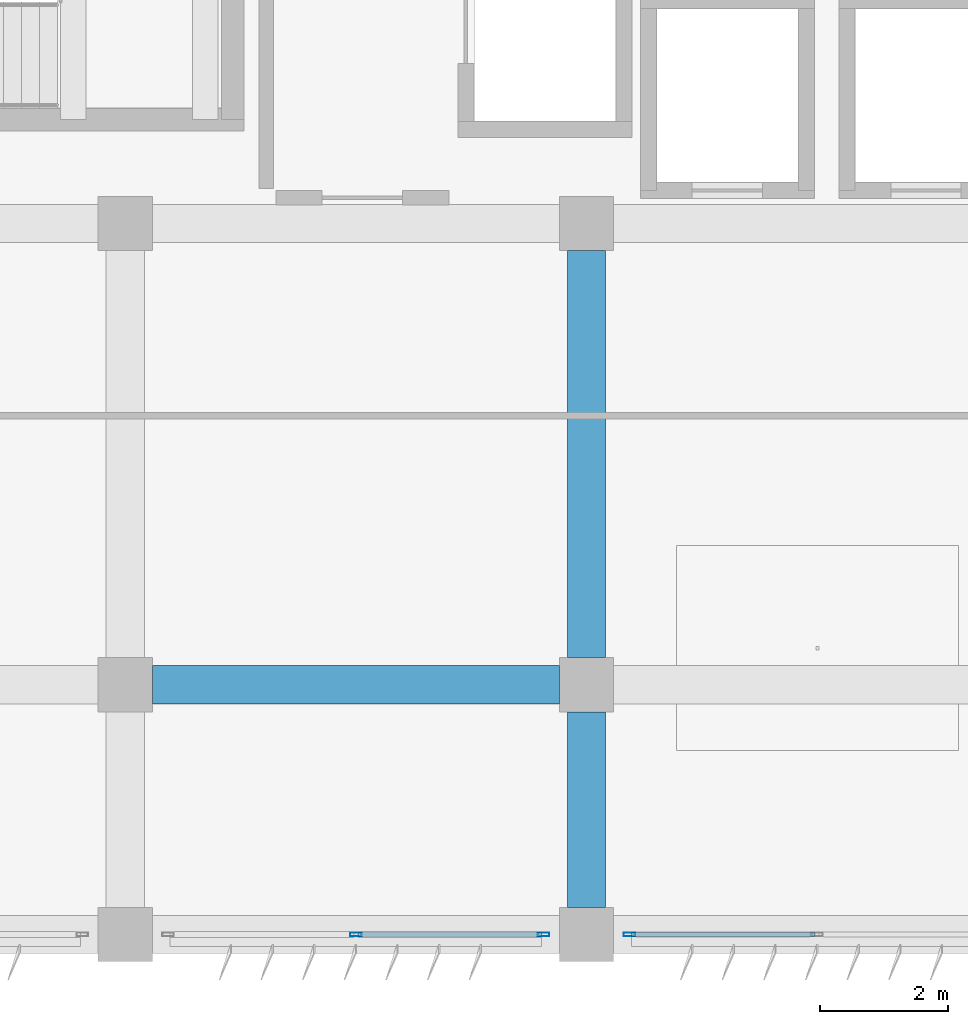
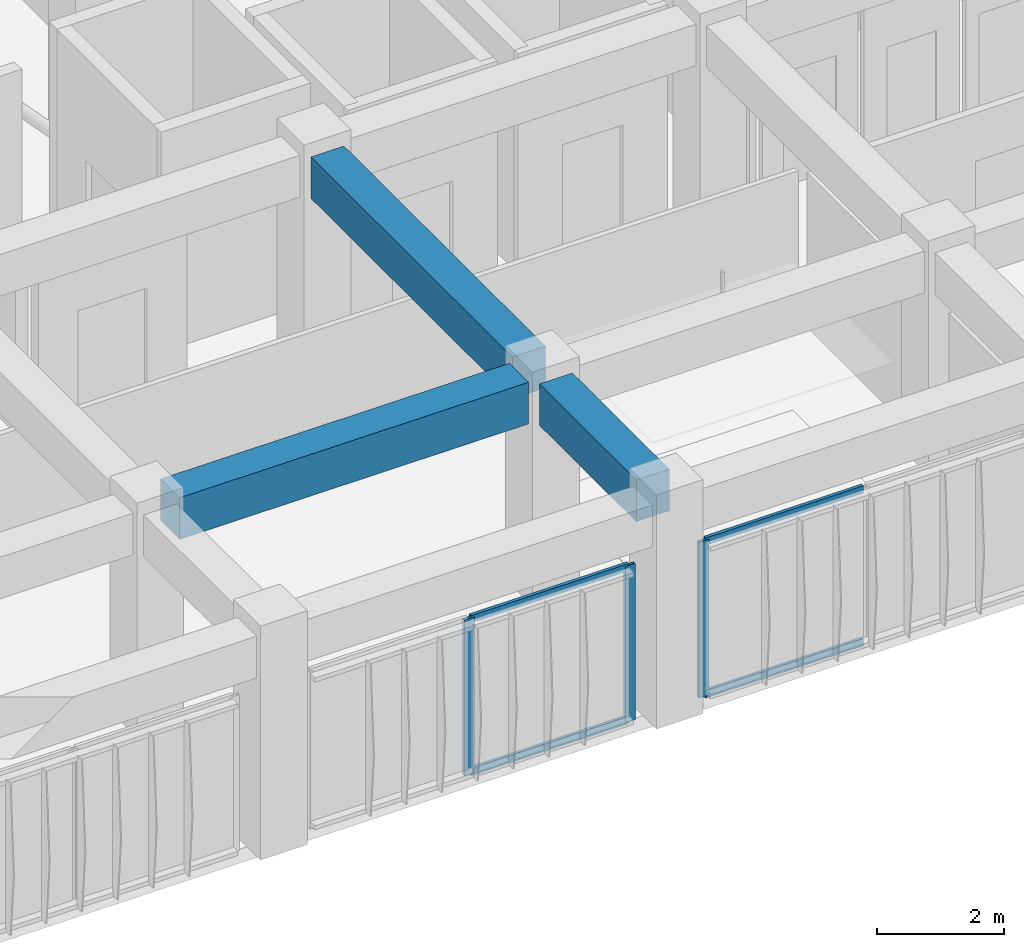
# One storey, part 6 of 48: 7 members, 3 beams, 2 elements without a shape of their own.
"""IFC4 building model written with IfcOpenShell, lengths in metres."""

from ifc_helpers import new_model, si_unit, direction, frame, origin, origin_2d, place, context, subcontext, project, spatial, rectangle, hollow_rectangle, extrude, material, material_profile, profile_set, type_object, element, aggregate, save


model = new_model("IFC4")

# Units and contexts
model_context = context("Model", 3, precision=1e-05, world=origin(), true_north=direction((0.0, 1.0)))
body_context = subcontext(model_context, "Body", "Model", "MODEL_VIEW")
ifc_project = project(units=[si_unit("LENGTHUNIT", "METRE"), si_unit("AREAUNIT", "SQUARE_METRE"), si_unit("VOLUMEUNIT", "CUBIC_METRE"), si_unit("PLANEANGLEUNIT", "RADIAN"), si_unit("MASSUNIT", "GRAM", prefix="KILO")], contexts=[model_context])

# Site, building, storey
site_placement = place(None, origin())
site = spatial("IfcSite", under=ifc_project, at=site_placement, CompositionType="ELEMENT")
building_placement = place(site_placement, origin())
building = spatial("IfcBuilding", under=site, at=building_placement, Name="Kazehaya Institute of Natural Sciences", CompositionType="ELEMENT")
storey_placement = place(building_placement, frame((0.0, 0.0, 19.800048828125)))
storey = spatial("IfcBuildingStorey", under=building, at=storey_placement, Name="L04", CompositionType="ELEMENT", Elevation=19.800048828125)

# Beams
ifc_material_1 = material(Name="Concrete Fc36", Category="concrete")
ifc_material_profile_1 = material_profile(ifc_material_1, rectangle(XDim=0.60009765625, YDim=0.800048828125, at=origin_2d()), Name="RC-600x800")
ifc_profile_set_1 = profile_set([ifc_material_profile_1], Name="Concrete Fc36")
beam_type = type_object("IfcBeamType", Name="BM-G-600x800", PredefinedType="BEAM", material=ifc_profile_set_1)
beam_1_placement = place(storey_placement, frame((69.425048828125, 14.0, 3.829833984375), z_axis=(1.0, 0.0, 0.0), x_axis=(0.0, 1.0, 0.0)))
element("IfcBeam", 1, at=beam_1_placement, inside=storey, type_object=beam_type, Name="L04 primary X girder BMX-L04-690-140", PredefinedType="BEAM", context=body_context, shape_type="SweptSolid", body=[
    extrude(rectangle(XDim=0.60009765625, YDim=0.800048828125, at=origin_2d()), origin(), (0.0, 0.0, 1.0), 6.349853515625),
])
beam_2_placement = place(storey_placement, frame((76.199951171875, 10.52490234375, 3.829833984375), z_axis=(0.0, 1.0, 0.0), x_axis=(-1.0, 0.0, 0.0)))
element("IfcBeam", 2, at=beam_2_placement, inside=storey, type_object=beam_type, Name="L04 primary Y girder BMY-L04-762-101", PredefinedType="BEAM", context=body_context, shape_type="SweptSolid", body=[
    extrude(rectangle(XDim=0.60009765625, YDim=0.800048828125, at=origin_2d()), origin(), (0.0, 0.0, 1.0), 3.050048828125),
])
beam_3_placement = place(storey_placement, frame((76.199951171875, 14.425048828125, 3.829833984375), z_axis=(0.0, 1.0, 0.0), x_axis=(-1.0, 0.0, 0.0)))
element("IfcBeam", 3, at=beam_3_placement, inside=storey, type_object=beam_type, Name="L04 primary Y girder BMY-L04-762-140", PredefinedType="BEAM", context=body_context, shape_type="SweptSolid", body=[
    extrude(rectangle(XDim=0.60009765625, YDim=0.800048828125, at=origin_2d()), origin(), (0.0, 0.0, 1.0), 6.349853515625),
])

# Curtain wall, member
ifc_material_2 = material(Name="Aluminium alloy A6063S-T5", Category="aluminium")
curtain_wall_type = type_object("IfcCurtainWallType", Name="CW-SYS-04", PredefinedType="NOTDEFINED", material=ifc_material_2)
curtain_wall_1_placement = place(storey_placement, origin())
curtain_wall_1 = element("IfcCurtainWall", 4, at=curtain_wall_1_placement, inside=storey, type_object=curtain_wall_type, Name="L04 unitised curtain wall CW-L04-080", PredefinedType="NOTDEFINED")
ifc_material_profile_2 = material_profile(ifc_material_2, hollow_rectangle(XDim=0.06005859375, YDim=0.179931640625, WallThickness=0.00390625, at=origin_2d()), Name="ALU-60x180x4")
ifc_profile_set_2 = profile_set([ifc_material_profile_2], Name="Aluminium alloy A6063S-T5")
member_type_1 = type_object("IfcMemberType", Name="CWM-180", PredefinedType="MULLION", material=ifc_profile_set_2)
member_1_placement = place(storey_placement, frame((76.8701171875, 10.10009765625, 0.0), z_axis=(0.0, 0.0, 1.0), x_axis=(0.0, -1.0, 0.0)))
member_1 = element("IfcMember", 5, at=member_1_placement, type_object=member_type_1, Name="CW04 mullion 3", PredefinedType="MULLION", context=body_context, shape_type="SweptSolid", body=[
    extrude(hollow_rectangle(XDim=0.06005859375, YDim=0.179931640625, WallThickness=0.00390625, at=origin_2d()), origin(), (0.0, 0.0, 1.0), 3.0),
])

# Curtain wall, members
curtain_wall_2_placement = place(storey_placement, origin())
curtain_wall_2 = element("IfcCurtainWall", 6, at=curtain_wall_2_placement, inside=storey, type_object=curtain_wall_type, Name="L04 unitised curtain wall CW-L04-081", PredefinedType="NOTDEFINED")
member_2_placement = place(storey_placement, frame((75.530029296875, 10.10009765625, 0.0), z_axis=(0.0, 0.0, 1.0), x_axis=(0.0, -1.0, 0.0)))
member_2 = element("IfcMember", 7, at=member_2_placement, type_object=member_type_1, Name="CW04 mullion 1", PredefinedType="MULLION", context=body_context, shape_type="SweptSolid", body=[
    extrude(hollow_rectangle(XDim=0.06005859375, YDim=0.179931640625, WallThickness=0.00390625, at=origin_2d()), origin(), (0.0, 0.0, 1.0), 3.0),
])
member_3_placement = place(storey_placement, frame((72.60009765625, 10.10009765625, 0.0), z_axis=(0.0, 0.0, 1.0), x_axis=(0.0, -1.0, 0.0)))
member_3 = element("IfcMember", 8, at=member_3_placement, type_object=member_type_1, Name="CW04 mullion 2", PredefinedType="MULLION", context=body_context, shape_type="SweptSolid", body=[
    extrude(hollow_rectangle(XDim=0.06005859375, YDim=0.179931640625, WallThickness=0.00390625, at=origin_2d()), origin(), (0.0, 0.0, 1.0), 3.0),
])

# Member
ifc_material_profile_3 = material_profile(ifc_material_2, hollow_rectangle(XDim=0.06005859375, YDim=0.139892578125, WallThickness=0.00341796875, at=origin_2d()), Name="ALU-60x140x3.5")
ifc_profile_set_3 = profile_set([ifc_material_profile_3], Name="Aluminium alloy A6063S-T5")
member_type_2 = type_object("IfcMemberType", Name="CWT-140", PredefinedType="USERDEFINED", material=ifc_profile_set_3)
member_4_placement = place(storey_placement, frame((79.77001953125, 10.10009765625, 0.030029296875), z_axis=(-1.0, 0.0, 0.0), x_axis=(0.0, -1.0, 0.0)))
member_4 = element("IfcMember", 9, at=member_4_placement, type_object=member_type_2, Name="CW04 transom 2.1", ObjectType="TRANSOM", PredefinedType="USERDEFINED", context=body_context, shape_type="SweptSolid", body=[
    extrude(hollow_rectangle(XDim=0.06005859375, YDim=0.139892578125, WallThickness=0.00341796875, at=origin_2d()), origin(), (0.0, 0.0, 1.0), 2.8701171875),
])

member_5_placement = place(storey_placement, frame((79.77001953125, 10.10009765625, 2.969970703125), z_axis=(-1.0, 0.0, 0.0), x_axis=(0.0, -1.0, 0.0)))
member_5 = element("IfcMember", 10, at=member_5_placement, type_object=member_type_2, Name="CW04 transom 2.2", ObjectType="TRANSOM", PredefinedType="USERDEFINED", context=body_context, shape_type="SweptSolid", body=[
    extrude(hollow_rectangle(XDim=0.06005859375, YDim=0.139892578125, WallThickness=0.00341796875, at=origin_2d()), origin(), (0.0, 0.0, 1.0), 2.8701171875),
])

aggregate(curtain_wall_1, [member_1, member_4, member_5])

member_6_placement = place(storey_placement, frame((75.5, 10.10009765625, 0.030029296875), z_axis=(-1.0, 0.0, 0.0), x_axis=(0.0, -1.0, 0.0)))
member_6 = element("IfcMember", 11, at=member_6_placement, type_object=member_type_2, Name="CW04 transom 1.1", ObjectType="TRANSOM", PredefinedType="USERDEFINED", context=body_context, shape_type="SweptSolid", body=[
    extrude(hollow_rectangle(XDim=0.06005859375, YDim=0.139892578125, WallThickness=0.00341796875, at=origin_2d()), origin(), (0.0, 0.0, 1.0), 2.8701171875),
])

member_7_placement = place(storey_placement, frame((75.5, 10.10009765625, 2.969970703125), z_axis=(-1.0, 0.0, 0.0), x_axis=(0.0, -1.0, 0.0)))
member_7 = element("IfcMember", 12, at=member_7_placement, type_object=member_type_2, Name="CW04 transom 1.2", ObjectType="TRANSOM", PredefinedType="USERDEFINED", context=body_context, shape_type="SweptSolid", body=[
    extrude(hollow_rectangle(XDim=0.06005859375, YDim=0.139892578125, WallThickness=0.00341796875, at=origin_2d()), origin(), (0.0, 0.0, 1.0), 2.8701171875),
])

aggregate(curtain_wall_2, [member_2, member_3, member_6, member_7])

save(model, "model.ifc")
